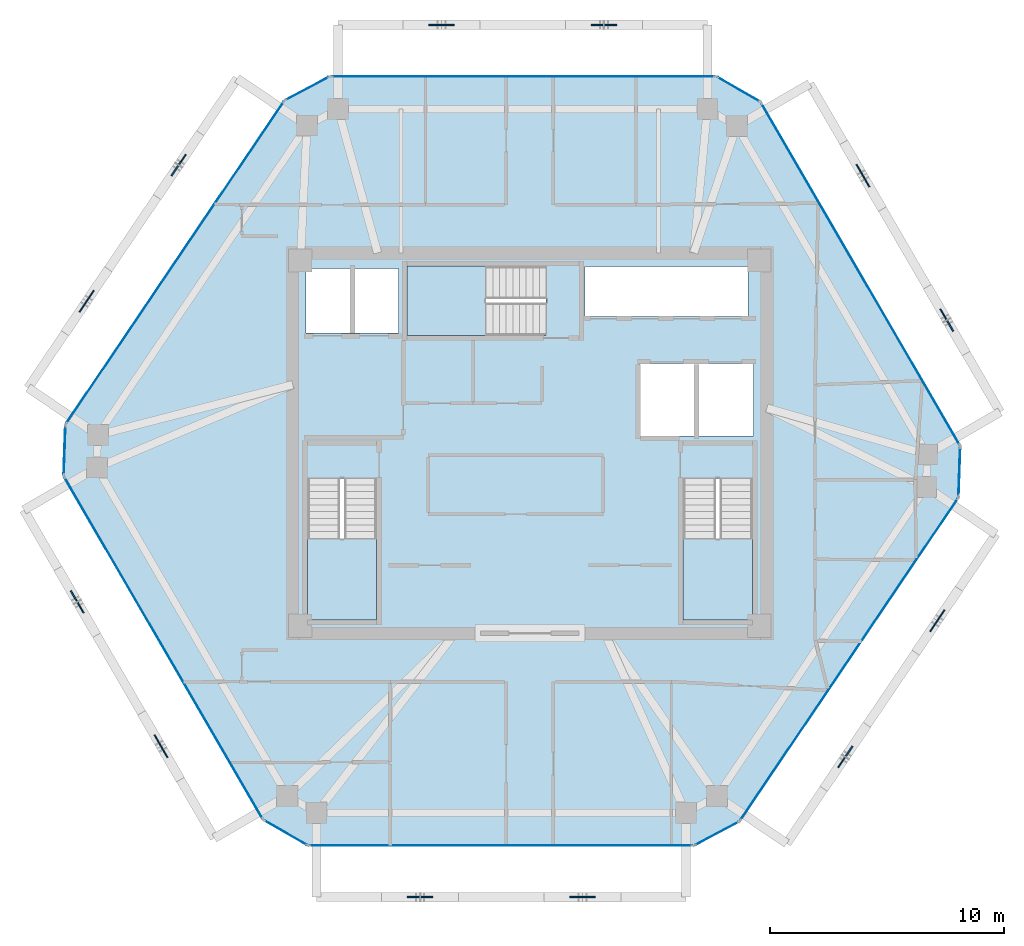
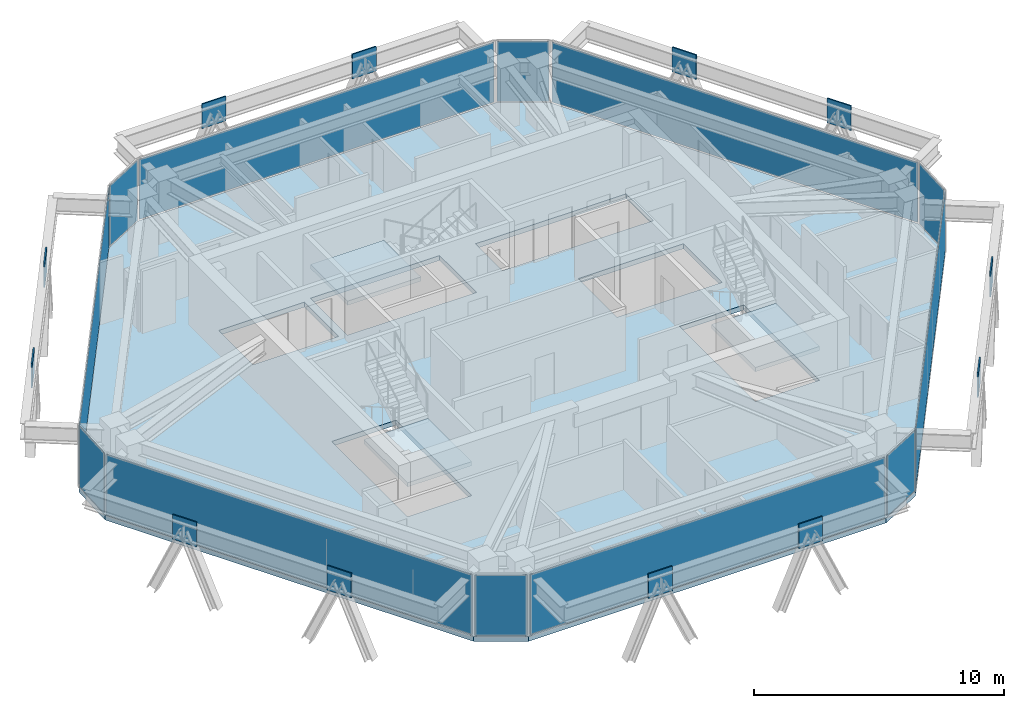
# One storey, part 7 of 13: 24 plates, 4 slabs, 15 elements without a shape of their own.
"""IFC4 building model written with IfcOpenShell, lengths in metres."""

from ifc_helpers import new_model, si_unit, direction, frame, origin, origin_2d, place, context, subcontext, project, spatial, polyline, rectangle, outline, extrude, source, transform, mapped, material, layer, layer_set, type_object, type_shapes, element, aggregate, save


model = new_model("IFC4")

# Units and contexts
model_context = context("Model", 3, precision=1e-05, world=origin(), true_north=direction((0.0, 1.0)))
body_context = subcontext(model_context, "Body", "Model", "MODEL_VIEW")
ifc_project = project(units=[si_unit("LENGTHUNIT", "METRE"), si_unit("AREAUNIT", "SQUARE_METRE"), si_unit("VOLUMEUNIT", "CUBIC_METRE"), si_unit("PLANEANGLEUNIT", "RADIAN"), si_unit("MASSUNIT", "GRAM", prefix="KILO")], contexts=[model_context])

# Site, building, storey
site_placement = place(None, origin())
site = spatial("IfcSite", under=ifc_project, at=site_placement, CompositionType="ELEMENT")
building_placement = place(site_placement, origin())
building = spatial("IfcBuilding", under=site, at=building_placement, Name="Durnholm Broadcast Tower", CompositionType="ELEMENT")
storey_placement = place(building_placement, frame((0.0, 0.0, 241.39990234375)))
storey = spatial("IfcBuildingStorey", under=building, at=storey_placement, Name="L67", CompositionType="ELEMENT", Elevation=241.39990234375)

# Slab
ifc_material_1 = material(Name="Concrete C50/60", Category="concrete")
ifc_layer_1 = layer(ifc_material_1, 0.239990234375)
ifc_layer_set_1 = layer_set([ifc_layer_1], Name="Concrete C50/60")
slab_type_1 = type_object("IfcSlabType", Name="SLAB-FLR-240", PredefinedType="FLOOR", material=ifc_layer_set_1)
slab_1_placement = place(storey_placement, frame((0.0, 0.0, -0.239990234375)))
element("IfcSlab", 1, at=slab_1_placement, inside=storey, type_object=slab_type_1, Name="L67 structural floor slab", PredefinedType="FLOOR", context=body_context, shape_type="SweptSolid", body=[
    extrude(outline(polyline([(-11.384521484375, -16.088134765625), (-9.47802734375, -17.18603515625), (7.012451171875, -17.18603515625), (8.955322265625, -16.154296875), (18.307861328125, -2.3203125), (18.38330078125, -0.12158203125), (9.8603515625, 14.564208984375), (7.9541015625, 15.662109375), (-8.536376953125, 15.662109375), (-10.4794921875, 14.630126953125), (-19.831787109375, 0.79638671875), (-19.9072265625, -1.40234375), (-11.384521484375, -16.088134765625)]), holes=[polyline([(-6.5400390625, -1.5), (-9.5, -1.5), (-9.5, -7.550048828125), (-6.5400390625, -7.550048828125), (-6.5400390625, -1.5)]), polyline([(9.5, -7.550048828125), (9.5, -1.5), (6.5400390625, -1.5), (6.5400390625, -7.550048828125), (9.5, -7.550048828125)]), polyline([(9.550048828125, 3.39990234375), (4.699951171875, 3.39990234375), (4.699951171875, 0.300048828125), (9.550048828125, 0.300048828125), (9.550048828125, 3.39990234375)]), polyline([(-9.550048828125, 7.449951171875), (-9.550048828125, 4.699951171875), (-5.60009765625, 4.699951171875), (-5.60009765625, 7.449951171875), (-9.550048828125, 7.449951171875)]), polyline([(-5.25, 4.60009765625), (0.699951171875, 4.60009765625), (0.699951171875, 7.56005859375), (-5.25, 7.56005859375), (-5.25, 4.60009765625)]), polyline([(9.31005859375, 7.550048828125), (2.35009765625, 7.550048828125), (2.35009765625, 5.39990234375), (9.31005859375, 5.39990234375), (9.31005859375, 7.550048828125)])]), origin(), (0.0, 0.0, 1.0), 0.239990234375),
])

# Stair, slab
stair_type = type_object("IfcStairType", Name="STAIR-DL-20R1650", PredefinedType="HALF_TURN_STAIR", material=ifc_material_1)
stair_1_placement = place(storey_placement, origin())
stair_1 = element("IfcStair", 2, at=stair_1_placement, inside=storey, type_object=stair_type, Name="L67 ST-1", PredefinedType="HALF_TURN_STAIR")
ifc_layer_2 = layer(ifc_material_1, 0.199951171875)
ifc_layer_set_2 = layer_set([ifc_layer_2], Name="Concrete C50/60")
slab_type_2 = type_object("IfcSlabType", Name="SLAB-LND-200", PredefinedType="LANDING", material=ifc_layer_set_2)
slab_2_placement = place(storey_placement, frame((0.0, 0.0, 1.4501953125)))
slab_2 = element("IfcSlab", 3, at=slab_2_placement, type_object=slab_type_2, Name="ST-1 landing 1", PredefinedType="LANDING", context=body_context, shape_type="SweptSolid", body=[
    extrude(outline(polyline([(-9.5, -4.06494140625), (-9.5, -7.550048828125), (-6.5400390625, -7.550048828125), (-6.5400390625, -4.06494140625), (-9.5, -4.06494140625)])), origin(), (0.0, 0.0, 1.0), 0.199951171875),
])
aggregate(stair_1, [slab_2])

stair_2_placement = place(storey_placement, origin())
stair_2 = element("IfcStair", 4, at=stair_2_placement, inside=storey, type_object=stair_type, Name="L67 ST-2", PredefinedType="HALF_TURN_STAIR")
slab_3_placement = place(storey_placement, frame((0.0, 0.0, 1.4501953125)))
slab_3 = element("IfcSlab", 5, at=slab_3_placement, type_object=slab_type_2, Name="ST-2 landing 1", PredefinedType="LANDING", context=body_context, shape_type="SweptSolid", body=[
    extrude(outline(polyline([(6.5400390625, -4.06494140625), (6.5400390625, -7.550048828125), (9.5, -7.550048828125), (9.5, -4.06494140625), (6.5400390625, -4.06494140625)])), origin(), (0.0, 0.0, 1.0), 0.199951171875),
])
aggregate(stair_2, [slab_3])

stair_3_placement = place(storey_placement, origin())
stair_3 = element("IfcStair", 6, at=stair_3_placement, inside=storey, type_object=stair_type, Name="L67 ST-3", PredefinedType="HALF_TURN_STAIR")
slab_4_placement = place(storey_placement, frame((0.0, 0.0, 1.4501953125)))
slab_4 = element("IfcSlab", 7, at=slab_4_placement, type_object=slab_type_2, Name="ST-3 landing 1", PredefinedType="LANDING", context=body_context, shape_type="SweptSolid", body=[
    extrude(outline(polyline([(-1.864990234375, 7.56005859375), (-5.25, 7.56005859375), (-5.25, 4.60009765625), (-1.864990234375, 4.60009765625), (-1.864990234375, 7.56005859375)])), origin(), (0.0, 0.0, 1.0), 0.199951171875),
])
aggregate(stair_3, [slab_4])

# Plates
ifc_material_2 = material(Name="Steel ASTM A572 Grade 50", Category="steel")
ifc_layer_3 = layer(ifc_material_2, 0.06005859375)
ifc_layer_set_3 = layer_set([ifc_layer_3], Name="Steel ASTM A572 Grade 50")
plate_type_1 = type_object("IfcPlateType", Name="PLT-KN10-GUS", PredefinedType="USERDEFINED", material=ifc_layer_set_3)
shared_shape_1 = source(origin(), body_context, "Body", "SweptSolid", [
    extrude(rectangle(XDim=1.10009765625, YDim=0.06005859375, at=origin_2d()), origin(), (0.0, 0.0, 1.0), 1.199951171875),
])
type_shapes(plate_type_1, [shared_shape_1])
for number, where, z_axis, x_axis, name in (
    (8, (-4.688720703125, -19.385986328125, 1.70849609375), (0.0, 0.0, 1.0), (1.0, 0.0, 0.0), "L67 welded diagrid node gusset plate KN10 F1"),
    (9, (2.248779296875, -19.385986328125, 1.70849609375), (0.0, 0.0, 1.0), (1.0, 0.0, 0.0), "L67 welded diagrid node gusset plate KN10 F1"),
    (10, (13.47412109375, -13.398193359375, 1.70849609375), (0.0, 0.0, 1.0), (0.560060762816, 0.828451532652, 0.0), "L67 welded diagrid node gusset plate KN10 F2"),
    (11, (17.404052734375, -7.585205078125, 1.70849609375), (0.0, 0.0, 1.0), (0.560060762816, 0.828451532652, 0.0), "L67 welded diagrid node gusset plate KN10 F2"),
    (12, (17.806640625, 5.2548828125, 1.70849609375), (0.0, 0.0, 1.0), (-0.501963660617, 0.864888711581, 0.0), "L67 welded diagrid node gusset plate KN10 F3"),
    (13, (14.228271484375, 11.4208984375, 1.70849609375), (0.0, 0.0, 1.0), (-0.501963660617, 0.864888711581, 0.0), "L67 welded diagrid node gusset plate KN10 F3"),
    (14, (3.164794921875, 17.862060546875, 1.70849609375), (0.0, 0.0, 1.0), (-1.0, 0.0, 0.0), "L67 welded diagrid node gusset plate KN10 F4"),
    (15, (-3.772705078125, 17.862060546875, 1.70849609375), (0.0, 0.0, 1.0), (-1.0, 0.0, 0.0), "L67 welded diagrid node gusset plate KN10 F4"),
    (16, (-14.998046875, 11.874267578125, 1.70849609375), (0.0, 0.0, 1.0), (-0.560060762816, -0.828451532652, 0.0), "L67 welded diagrid node gusset plate KN10 F5"),
    (17, (-18.927978515625, 6.061279296875, 1.70849609375), (0.0, 0.0, 1.0), (-0.560060762816, -0.828451532652, 0.0), "L67 welded diagrid node gusset plate KN10 F5"),
    (18, (-19.330810546875, -6.77880859375, 1.70849609375), (0.0, 0.0, 1.0), (0.501963660617, -0.864888711581, 0.0), "L67 welded diagrid node gusset plate KN10 F6"),
    (19, (-15.752197265625, -12.94482421875, 1.70849609375), (0.0, 0.0, 1.0), (0.501963660617, -0.864888711581, 0.0), "L67 welded diagrid node gusset plate KN10 F6"),
):
    element("IfcPlate", number, at=place(storey_placement, frame(where, z_axis=z_axis, x_axis=x_axis)), inside=storey, type_object=plate_type_1, Name=name, ObjectType="GUSSET_PLATE", PredefinedType="USERDEFINED", context=body_context, shape_type="MappedRepresentation", body=[
        mapped(shared_shape_1, transform((0.0, 0.0, 0.0), x_axis=(1.0, 0.0, 0.0), y_axis=(0.0, 1.0, 0.0), z_axis=(0.0, 0.0, 1.0), scale=1.0)),
    ])

# Curtain wall, plate
ifc_material_3 = material(Name="Aluminium and Solar Control IGU", Category="aluminium")
ifc_layer_4 = layer(ifc_material_3, 0.1650390625)
ifc_layer_set_4 = layer_set([ifc_layer_4], Name="Aluminium and Solar Control IGU")
curtain_wall_type_1 = type_object("IfcCurtainWallType", Name="CW-SYS-5", PredefinedType="NOTDEFINED", material=ifc_layer_set_4)
curtain_wall_1_placement = place(storey_placement, origin())
curtain_wall_1 = element("IfcCurtainWall", 20, at=curtain_wall_1_placement, inside=storey, type_object=curtain_wall_type_1, Name="L67 curtain wall CW-CORNER CW-L67-CRN-01", PredefinedType="NOTDEFINED")
ifc_material_4 = material(Name="Low-E Laminated Insulating Glass", Category="glass")
ifc_layer_5 = layer(ifc_material_4, 0.030029296875)
ifc_layer_set_5 = layer_set([ifc_layer_5], Name="Low-E Laminated Insulating Glass")
plate_type_2 = type_object("IfcPlateType", Name="CW-SYS-5-PNL", PredefinedType="CURTAIN_PANEL", material=ifc_layer_set_5)
shared_shape_2 = source(origin(), body_context, "Body", "SweptSolid", [
    extrude(rectangle(XDim=2.070068359375, YDim=0.030029296875, at=origin_2d()), origin(), (0.0, 0.0, 1.0), 2.929931640625),
])
plate_1_placement = place(storey_placement, frame((-19.86962890625, -0.302978515625, 0.06494140625), z_axis=(0.0, 0.0, 1.0), x_axis=(0.034318245849, 0.999410955514, 0.0)))
plate_1 = element("IfcPlate", 21, at=plate_1_placement, type_object=plate_type_2, Name="CW-CORNER panel 1.1", PredefinedType="CURTAIN_PANEL", context=body_context, shape_type="MappedRepresentation", body=[
    mapped(shared_shape_2, transform((0.0, 0.0, 0.0), x_axis=(1.0, 0.0, 0.0), y_axis=(0.0, 1.0, 0.0), z_axis=(0.0, 0.0, 1.0), scale=1.0)),
])
aggregate(curtain_wall_1, [plate_1])

curtain_wall_2_placement = place(storey_placement, origin())
curtain_wall_2 = element("IfcCurtainWall", 22, at=curtain_wall_2_placement, inside=storey, type_object=curtain_wall_type_1, Name="L67 curtain wall CW-CORNER CW-L67-CRN-03", PredefinedType="NOTDEFINED")
plate_2_placement = place(storey_placement, frame((-9.5078125, 15.14599609375, 0.06494140625), z_axis=(0.0, 0.0, 1.0), x_axis=(0.883194569853, 0.469006771575, 0.0)))
plate_2 = element("IfcPlate", 23, at=plate_2_placement, type_object=plate_type_2, Name="CW-CORNER panel 1.1", PredefinedType="CURTAIN_PANEL", context=body_context, shape_type="MappedRepresentation", body=[
    mapped(shared_shape_2, transform((0.0, 0.0, 0.0), x_axis=(1.0, 0.0, 0.0), y_axis=(0.0, 1.0, 0.0), z_axis=(0.0, 0.0, 1.0), scale=1.0)),
])
aggregate(curtain_wall_2, [plate_2])

curtain_wall_3_placement = place(storey_placement, origin())
curtain_wall_3 = element("IfcCurtainWall", 24, at=curtain_wall_3_placement, inside=storey, type_object=curtain_wall_type_1, Name="L67 curtain wall CW-CORNER CW-L67-CRN-07", PredefinedType="NOTDEFINED")
plate_3_placement = place(storey_placement, frame((18.345458984375, -1.220947265625, 0.06494140625), z_axis=(0.0, 0.0, 1.0), x_axis=(-0.034318245849, -0.999410955514, 0.0)))
plate_3 = element("IfcPlate", 25, at=plate_3_placement, type_object=plate_type_2, Name="CW-CORNER panel 1.1", PredefinedType="CURTAIN_PANEL", context=body_context, shape_type="MappedRepresentation", body=[
    mapped(shared_shape_2, transform((0.0, 0.0, 0.0), x_axis=(1.0, 0.0, 0.0), y_axis=(0.0, 1.0, 0.0), z_axis=(0.0, 0.0, 1.0), scale=1.0)),
])
aggregate(curtain_wall_3, [plate_3])

curtain_wall_4_placement = place(storey_placement, origin())
curtain_wall_4 = element("IfcCurtainWall", 26, at=curtain_wall_4_placement, inside=storey, type_object=curtain_wall_type_1, Name="L67 curtain wall CW-CORNER CW-L67-CRN-09", PredefinedType="NOTDEFINED")
plate_4_placement = place(storey_placement, frame((7.98388671875, -16.670166015625, 0.06494140625), z_axis=(0.0, 0.0, 1.0), x_axis=(-0.883194569853, -0.469006771575, 0.0)))
plate_4 = element("IfcPlate", 27, at=plate_4_placement, type_object=plate_type_2, Name="CW-CORNER panel 1.1", PredefinedType="CURTAIN_PANEL", context=body_context, shape_type="MappedRepresentation", body=[
    mapped(shared_shape_2, transform((0.0, 0.0, 0.0), x_axis=(1.0, 0.0, 0.0), y_axis=(0.0, 1.0, 0.0), z_axis=(0.0, 0.0, 1.0), scale=1.0)),
])
aggregate(curtain_wall_4, [plate_4])

ifc_layer_6 = layer(ifc_material_3, 0.18994140625)
ifc_layer_set_6 = layer_set([ifc_layer_6], Name="Aluminium and Solar Control IGU")
curtain_wall_type_2 = type_object("IfcCurtainWallType", Name="CW-SYS-4", PredefinedType="NOTDEFINED", material=ifc_layer_set_6)
curtain_wall_5_placement = place(storey_placement, origin())
curtain_wall_5 = element("IfcCurtainWall", 28, at=curtain_wall_5_placement, inside=storey, type_object=curtain_wall_type_2, Name="L67 curtain wall CW-Z34-VIS CW-L67-F02", PredefinedType="NOTDEFINED")
ifc_layer_7 = layer(ifc_material_4, 0.033935546875)
ifc_layer_set_7 = layer_set([ifc_layer_7], Name="Low-E Laminated Insulating Glass")
plate_type_3 = type_object("IfcPlateType", Name="CW-SYS-4-PNL", PredefinedType="CURTAIN_PANEL", material=ifc_layer_set_7)
shared_shape_3 = source(origin(), body_context, "Body", "SweptSolid", [
    extrude(rectangle(XDim=16.55859375, YDim=0.033935546875, at=origin_2d()), origin(), (0.0, 0.0, 1.0), 2.919921875),
])
plate_5_placement = place(storey_placement, frame((-15.155517578125, 7.71337890625, 0.070068359375), z_axis=(0.0, 0.0, 1.0), x_axis=(0.560072745753, 0.828443431662, 0.0)))
plate_5 = element("IfcPlate", 29, at=plate_5_placement, type_object=plate_type_3, Name="CW-Z34-VIS panel 1.1", PredefinedType="CURTAIN_PANEL", context=body_context, shape_type="MappedRepresentation", body=[
    mapped(shared_shape_3, transform((0.0, 0.0, 0.0), x_axis=(1.0, 0.0, 0.0), y_axis=(0.0, 1.0, 0.0), z_axis=(0.0, 0.0, 1.0), scale=1.0)),
])
aggregate(curtain_wall_5, [plate_5])

curtain_wall_6_placement = place(storey_placement, origin())
curtain_wall_6 = element("IfcCurtainWall", 30, at=curtain_wall_6_placement, inside=storey, type_object=curtain_wall_type_2, Name="L67 curtain wall CW-Z34-VIS CW-L67-F08", PredefinedType="NOTDEFINED")
plate_6_placement = place(storey_placement, frame((13.631591796875, -9.2373046875, 0.070068359375), z_axis=(0.0, 0.0, 1.0), x_axis=(-0.560072745753, -0.828443431662, 0.0)))
plate_6 = element("IfcPlate", 31, at=plate_6_placement, type_object=plate_type_3, Name="CW-Z34-VIS panel 1.1", PredefinedType="CURTAIN_PANEL", context=body_context, shape_type="MappedRepresentation", body=[
    mapped(shared_shape_3, transform((0.0, 0.0, 0.0), x_axis=(1.0, 0.0, 0.0), y_axis=(0.0, 1.0, 0.0), z_axis=(0.0, 0.0, 1.0), scale=1.0)),
])
aggregate(curtain_wall_6, [plate_6])

curtain_wall_7_placement = place(storey_placement, origin())
curtain_wall_7 = element("IfcCurtainWall", 32, at=curtain_wall_7_placement, inside=storey, type_object=curtain_wall_type_2, Name="L67 curtain wall CW-Z34-VIS CW-L67-F04", PredefinedType="NOTDEFINED")
shared_shape_4 = source(origin(), body_context, "Body", "SweptSolid", [
    extrude(rectangle(XDim=16.350341796875, YDim=0.033935546875, at=origin_2d()), origin(), (0.0, 0.0, 1.0), 2.919921875),
])
plate_7_placement = place(storey_placement, frame((-0.291259765625, 15.662109375, 0.070068359375), z_axis=(0.0, 0.0, 1.0), x_axis=(1.0, 0.0, 0.0)))
plate_7 = element("IfcPlate", 33, at=plate_7_placement, type_object=plate_type_3, Name="CW-Z34-VIS panel 1.1", PredefinedType="CURTAIN_PANEL", context=body_context, shape_type="MappedRepresentation", body=[
    mapped(shared_shape_4, transform((0.0, 0.0, 0.0), x_axis=(1.0, 0.0, 0.0), y_axis=(0.0, 1.0, 0.0), z_axis=(0.0, 0.0, 1.0), scale=1.0)),
])
aggregate(curtain_wall_7, [plate_7])

curtain_wall_8_placement = place(storey_placement, origin())
curtain_wall_8 = element("IfcCurtainWall", 34, at=curtain_wall_8_placement, inside=storey, type_object=curtain_wall_type_2, Name="L67 curtain wall CW-Z34-VIS CW-L67-F10", PredefinedType="NOTDEFINED")
plate_8_placement = place(storey_placement, frame((-1.23291015625, -17.18603515625, 0.070068359375), z_axis=(0.0, 0.0, 1.0), x_axis=(-1.0, 0.0, 0.0)))
plate_8 = element("IfcPlate", 35, at=plate_8_placement, type_object=plate_type_3, Name="CW-Z34-VIS panel 1.1", PredefinedType="CURTAIN_PANEL", context=body_context, shape_type="MappedRepresentation", body=[
    mapped(shared_shape_4, transform((0.0, 0.0, 0.0), x_axis=(1.0, 0.0, 0.0), y_axis=(0.0, 1.0, 0.0), z_axis=(0.0, 0.0, 1.0), scale=1.0)),
])
aggregate(curtain_wall_8, [plate_8])

curtain_wall_9_placement = place(storey_placement, origin())
curtain_wall_9 = element("IfcCurtainWall", 36, at=curtain_wall_9_placement, inside=storey, type_object=curtain_wall_type_1, Name="L67 curtain wall CW-CORNER CW-L67-CRN-05", PredefinedType="NOTDEFINED")
shared_shape_5 = source(origin(), body_context, "Body", "SweptSolid", [
    extrude(rectangle(XDim=2.06982421875, YDim=0.030029296875, at=origin_2d()), origin(), (0.0, 0.0, 1.0), 2.929931640625),
])
type_shapes(plate_type_2, [shared_shape_2, shared_shape_5])
plate_9_placement = place(storey_placement, frame((8.9072265625, 15.113037109375, 0.06494140625), z_axis=(0.0, 0.0, 1.0), x_axis=(0.866568249707, -0.499058582333, 0.0)))
plate_9 = element("IfcPlate", 37, at=plate_9_placement, type_object=plate_type_2, Name="CW-CORNER panel 1.1", PredefinedType="CURTAIN_PANEL", context=body_context, shape_type="MappedRepresentation", body=[
    mapped(shared_shape_5, transform((0.0, 0.0, 0.0), x_axis=(1.0, 0.0, 0.0), y_axis=(0.0, 1.0, 0.0), z_axis=(0.0, 0.0, 1.0), scale=1.0)),
])
aggregate(curtain_wall_9, [plate_9])

curtain_wall_10_placement = place(storey_placement, origin())
curtain_wall_10 = element("IfcCurtainWall", 38, at=curtain_wall_10_placement, inside=storey, type_object=curtain_wall_type_1, Name="L67 curtain wall CW-CORNER CW-L67-CRN-11", PredefinedType="NOTDEFINED")
plate_10_placement = place(storey_placement, frame((-10.43115234375, -16.636962890625, 0.06494140625), z_axis=(0.0, 0.0, 1.0), x_axis=(-0.866568249707, 0.499058582333, 0.0)))
plate_10 = element("IfcPlate", 39, at=plate_10_placement, type_object=plate_type_2, Name="CW-CORNER panel 1.1", PredefinedType="CURTAIN_PANEL", context=body_context, shape_type="MappedRepresentation", body=[
    mapped(shared_shape_5, transform((0.0, 0.0, 0.0), x_axis=(1.0, 0.0, 0.0), y_axis=(0.0, 1.0, 0.0), z_axis=(0.0, 0.0, 1.0), scale=1.0)),
])
aggregate(curtain_wall_10, [plate_10])

curtain_wall_11_placement = place(storey_placement, origin())
curtain_wall_11 = element("IfcCurtainWall", 40, at=curtain_wall_11_placement, inside=storey, type_object=curtain_wall_type_2, Name="L67 curtain wall CW-Z34-VIS CW-L67-F06", PredefinedType="NOTDEFINED")
shared_shape_6 = source(origin(), body_context, "Body", "SweptSolid", [
    extrude(rectangle(XDim=16.83984375, YDim=0.033935546875, at=origin_2d()), origin(), (0.0, 0.0, 1.0), 2.919921875),
])
type_shapes(plate_type_3, [shared_shape_3, shared_shape_4, shared_shape_6])
plate_11_placement = place(storey_placement, frame((14.121826171875, 7.22119140625, 0.070068359375), z_axis=(0.0, 0.0, 1.0), x_axis=(0.50194441023, -0.864899883824, 0.0)))
plate_11 = element("IfcPlate", 41, at=plate_11_placement, type_object=plate_type_3, Name="CW-Z34-VIS panel 1.1", PredefinedType="CURTAIN_PANEL", context=body_context, shape_type="MappedRepresentation", body=[
    mapped(shared_shape_6, transform((0.0, 0.0, 0.0), x_axis=(1.0, 0.0, 0.0), y_axis=(0.0, 1.0, 0.0), z_axis=(0.0, 0.0, 1.0), scale=1.0)),
])
aggregate(curtain_wall_11, [plate_11])

curtain_wall_12_placement = place(storey_placement, origin())
curtain_wall_12 = element("IfcCurtainWall", 42, at=curtain_wall_12_placement, inside=storey, type_object=curtain_wall_type_2, Name="L67 curtain wall CW-Z34-VIS CW-L67-F12", PredefinedType="NOTDEFINED")
plate_12_placement = place(storey_placement, frame((-15.645751953125, -8.7451171875, 0.070068359375), z_axis=(0.0, 0.0, 1.0), x_axis=(-0.50194441023, 0.864899883824, 0.0)))
plate_12 = element("IfcPlate", 43, at=plate_12_placement, type_object=plate_type_3, Name="CW-Z34-VIS panel 1.1", PredefinedType="CURTAIN_PANEL", context=body_context, shape_type="MappedRepresentation", body=[
    mapped(shared_shape_6, transform((0.0, 0.0, 0.0), x_axis=(1.0, 0.0, 0.0), y_axis=(0.0, 1.0, 0.0), z_axis=(0.0, 0.0, 1.0), scale=1.0)),
])
aggregate(curtain_wall_12, [plate_12])

save(model, "model.ifc")
